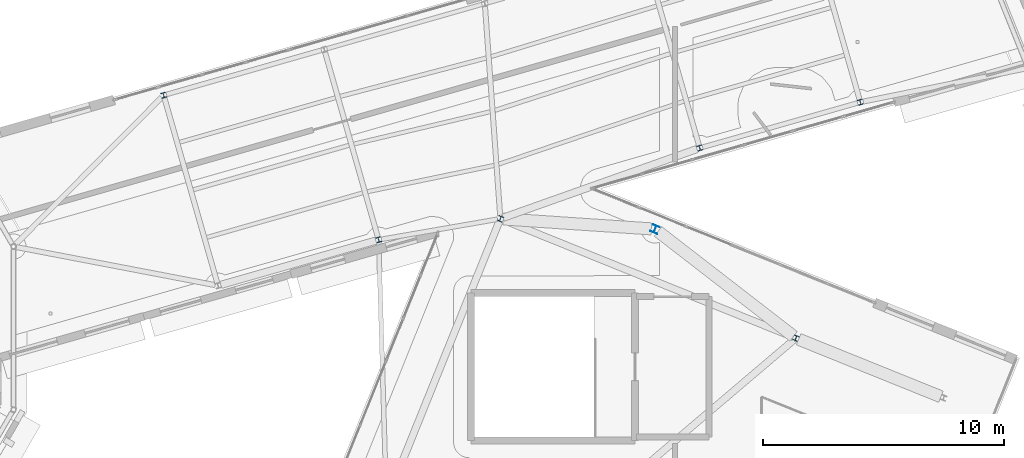
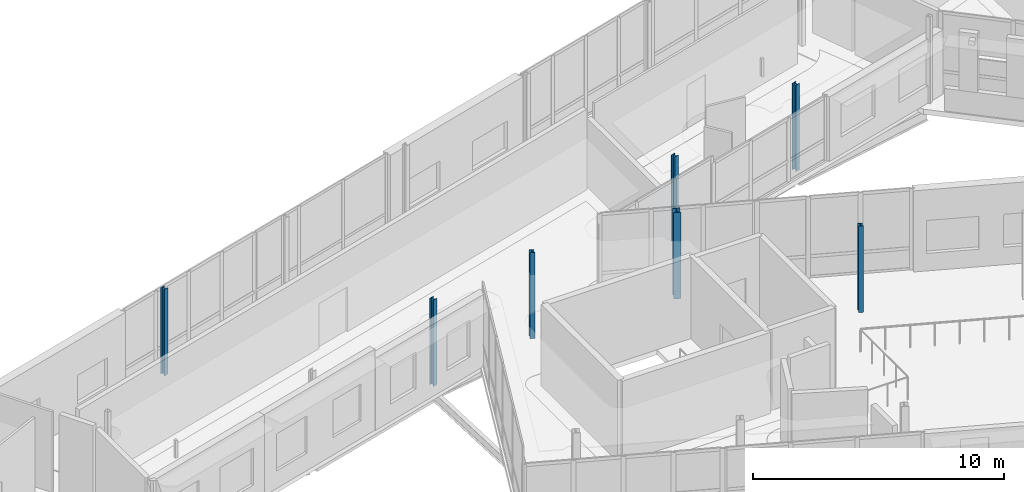
# One storey, part 12 of 125: 7 columns.
"""IFC4 building model written with IfcOpenShell, lengths in metres."""

from ifc_helpers import new_model, si_unit, direction, frame, origin, origin_2d, place, context, subcontext, project, spatial, i_section, extrude, material, material_profile, profile_set, type_object, element, save


model = new_model("IFC4")

# Units and contexts
model_context = context("Model", 3, precision=1e-05, world=origin(), true_north=direction((0.0, 1.0)))
body_context = subcontext(model_context, "Body", "Model", "MODEL_VIEW")
ifc_project = project(units=[si_unit("LENGTHUNIT", "METRE"), si_unit("AREAUNIT", "SQUARE_METRE"), si_unit("VOLUMEUNIT", "CUBIC_METRE"), si_unit("PLANEANGLEUNIT", "RADIAN"), si_unit("MASSUNIT", "GRAM", prefix="KILO")], contexts=[model_context])

# Site, building, storey
site_placement = place(None, origin())
site = spatial("IfcSite", under=ifc_project, at=site_placement, CompositionType="ELEMENT")
building_placement = place(site_placement, origin())
building = spatial("IfcBuilding", under=site, at=building_placement, Name="Wrenclough Park School", CompositionType="ELEMENT")
storey_placement = place(building_placement, frame((0.0, 0.0, 4.199951171875)))
storey = spatial("IfcBuildingStorey", under=building, at=storey_placement, Name="L01", CompositionType="ELEMENT", Elevation=4.199951171875)

# Columns
ifc_material = material(Name="Structural steel S355", Category="steel")
ifc_material_profile_1 = material_profile(ifc_material, i_section(OverallWidth=0.205810546875, OverallDepth=0.209716796875, WebThickness=0.009521484375, FlangeThickness=0.01416015625, FilletRadius=0.01025390625, at=origin_2d()), Name="UKC 203x203x60")
ifc_profile_set_1 = profile_set([ifc_material_profile_1], Name="Structural steel S355")
column_type_1 = type_object("IfcColumnType", Name="STR-COL-UKC203B", PredefinedType="COLUMN", material=ifc_profile_set_1)
for number, where, z_axis, x_axis, name in (
    (1, (49.268798828125, 94.030029296875, 0.0), (0.0, 0.0, 1.0), (0.927183854567, -0.374606593416, 0.0), "W34 L01 column EAVE-COURTYARD-B1"),
    (2, (61.5078125, 89.085205078125, 0.0), (0.0, 0.0, 1.0), (0.927183854567, -0.374606593416, 0.0), "W34 L01 column EAVE-COURTYARD-B3"),
    (3, (35.323486328125, 99.14208984375, 0.0), (0.0, 0.0, 1.0), (0.961501868857, 0.27479839189, 0.0), "W34 L01 column W34-C1-L03"),
    (4, (44.226318359375, 93.15771484375, 0.0), (0.0, 0.0, 1.0), (0.961501868857, 0.27479839189, 0.0), "W34 L01 column W34-C1-R04"),
    (5, (57.5263671875, 96.957763671875, 0.0), (0.0, 0.0, 1.0), (0.961501868857, 0.27479839189, 0.0), "W34 L01 column W34-C1-R06"),
    (6, (64.176513671875, 98.85791015625, 0.0), (0.0, 0.0, 1.0), (0.961501868857, 0.27479839189, 0.0), "W34 L01 column W34-C1-R07"),
):
    element("IfcColumn", number, at=place(storey_placement, frame(where, z_axis=z_axis, x_axis=x_axis)), inside=storey, type_object=column_type_1, Name=name, PredefinedType="COLUMN", context=body_context, shape_type="SweptSolid", body=[
        extrude(i_section(OverallWidth=0.205810546875, OverallDepth=0.209716796875, WebThickness=0.009521484375, FlangeThickness=0.01416015625, FilletRadius=0.01025390625, at=origin_2d()), origin(), (0.0, 0.0, 1.0), 4.199951171875),
    ])
ifc_material_profile_2 = material_profile(ifc_material, i_section(OverallWidth=0.307373046875, OverallDepth=0.314453125, WebThickness=0.011962890625, FlangeThickness=0.018798828125, FilletRadius=0.01513671875, at=origin_2d()), Name="UKC 305x305x118")
ifc_profile_set_2 = profile_set([ifc_material_profile_2], Name="Structural steel S355")
column_type_2 = type_object("IfcColumnType", Name="STR-COL-UKC305A", PredefinedType="COLUMN", material=ifc_profile_set_2)
column_placement = place(storey_placement, frame((55.673828125, 93.59912109375, 0.0), z_axis=(0.0, 0.0, 1.0), x_axis=(0.927183854567, -0.374606593416, 0.0)))
element("IfcColumn", 7, at=column_placement, inside=storey, type_object=column_type_2, Name="W34 L01 column W34DP--4-7", PredefinedType="COLUMN", context=body_context, shape_type="SweptSolid", body=[
    extrude(i_section(OverallWidth=0.307373046875, OverallDepth=0.314453125, WebThickness=0.011962890625, FlangeThickness=0.018798828125, FilletRadius=0.01513671875, at=origin_2d()), origin(), (0.0, 0.0, 1.0), 4.199951171875),
])

save(model, "model.ifc")
